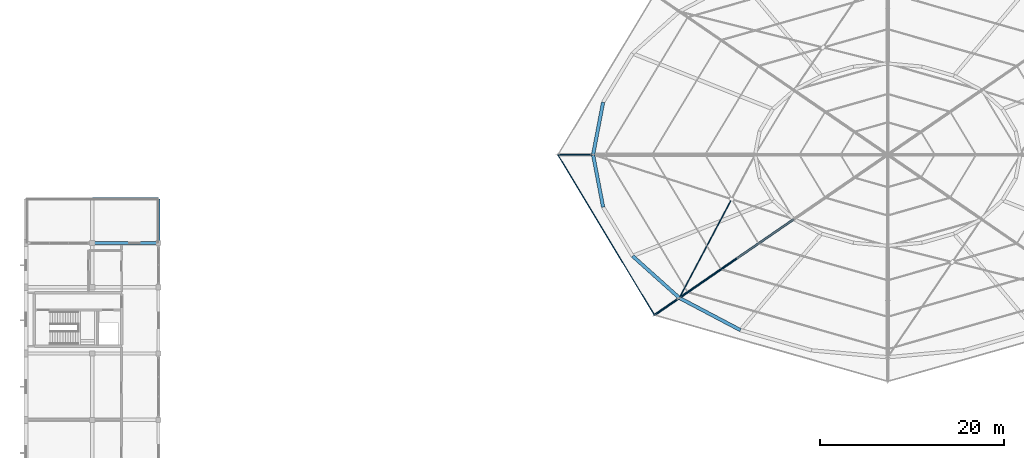
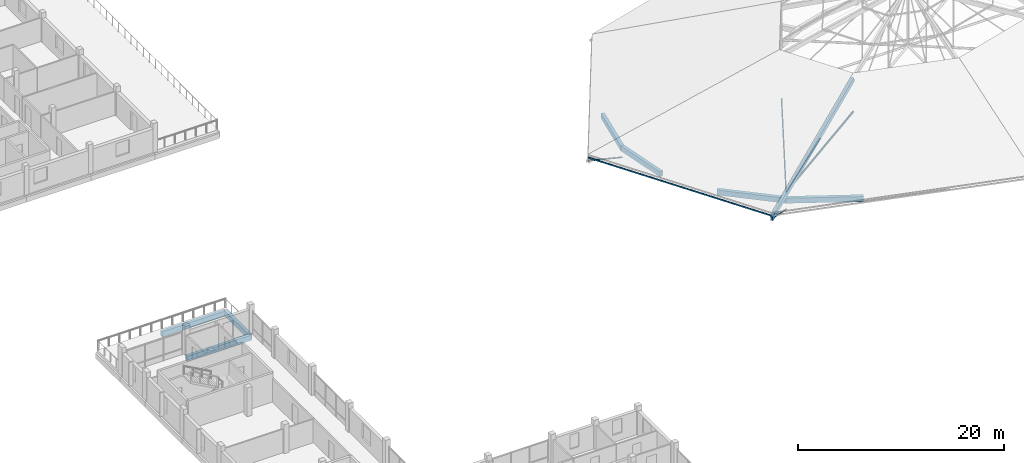
# One storey, part 17 of 66: 7 beams, 7 members.
"""IFC4 building model written with IfcOpenShell, lengths in metres."""

from ifc_helpers import new_model, si_unit, direction, frame, origin, origin_2d, place, context, subcontext, project, spatial, rectangle, hollow_rectangle, hollow_circle, extrude, material, material_profile, profile_set, type_object, element, save


model = new_model("IFC4")

# Units and contexts
model_context = context("Model", 3, precision=1e-05, world=origin(), true_north=direction((0.0, 1.0)))
body_context = subcontext(model_context, "Body", "Model", "MODEL_VIEW")
ifc_project = project(units=[si_unit("LENGTHUNIT", "METRE"), si_unit("AREAUNIT", "SQUARE_METRE"), si_unit("VOLUMEUNIT", "CUBIC_METRE"), si_unit("PLANEANGLEUNIT", "RADIAN"), si_unit("MASSUNIT", "GRAM", prefix="KILO")], contexts=[model_context])

# Site, building, storey
site_placement = place(None, origin())
site = spatial("IfcSite", under=ifc_project, at=site_placement, CompositionType="ELEMENT")
building_placement = place(site_placement, origin())
building = spatial("IfcBuilding", under=site, at=building_placement, Name="Zornivar Specialist Clinic", CompositionType="ELEMENT")
storey_placement = place(building_placement, frame((0.0, 0.0, 16.0)))
storey = spatial("IfcBuildingStorey", under=building, at=storey_placement, Name="L04", CompositionType="ELEMENT", Elevation=16.0)

# Beams
ifc_material_1 = material(Name="Concrete C30/37", Category="concrete")
ifc_material_profile_1 = material_profile(ifc_material_1, rectangle(XDim=0.35009765625, YDim=0.60009765625, at=origin_2d()), Name="RC 350x600")
ifc_profile_set_1 = profile_set([ifc_material_profile_1], Name="Concrete C30/37")
beam_type_1 = type_object("IfcBeamType", Name="BM-RC-350x600", PredefinedType="BEAM", material=ifc_profile_set_1)
for number, where, z_axis, x_axis, name in (
    (1, (7.199951171875, 48.0, -0.580078125), (1.0, 0.0, 0.0), (0.0, 1.0, 0.0), "bm:V2:L04:x:480:1"),
    (2, (7.199951171875, 52.800048828125, -0.580078125), (1.0, 0.0, 0.0), (0.0, 1.0, 0.0), "bm:V2:L04:x:528:1"),
):
    element("IfcBeam", number, at=place(storey_placement, frame(where, z_axis=z_axis, x_axis=x_axis)), inside=storey, type_object=beam_type_1, Name=name, PredefinedType="BEAM", context=body_context, shape_type="SweptSolid", body=[
        extrude(rectangle(XDim=0.35009765625, YDim=0.60009765625, at=origin_2d()), origin(), (0.0, 0.0, 1.0), 7.199951171875),
    ])
beam_1_placement = place(storey_placement, frame((14.39990234375, 48.0, -0.580078125), z_axis=(0.0, 1.0, 0.0), x_axis=(-1.0, 0.0, 0.0)))
element("IfcBeam", 3, at=beam_1_placement, inside=storey, type_object=beam_type_1, Name="bm:V2:L04:y:144:7", PredefinedType="BEAM", context=body_context, shape_type="SweptSolid", body=[
    extrude(rectangle(XDim=0.35009765625, YDim=0.60009765625, at=origin_2d()), origin(), (0.0, 0.0, 1.0), 4.800048828125),
])
ifc_material_2 = material(Name="Concrete C30/37", Category="concrete")
ifc_material_profile_2 = material_profile(ifc_material_2, rectangle(XDim=0.3701171875, YDim=0.60009765625, at=origin_2d()), Name="RC 370x600")
ifc_profile_set_2 = profile_set([ifc_material_profile_2], Name="Concrete C30/37")
beam_type_2 = type_object("IfcBeamType", Name="BM-RC-SPANDREL-370x600", PredefinedType="SPANDREL", material=ifc_profile_set_2)
beam_2_placement = place(storey_placement, frame((62.68994140625, 63.2939453125, -0.5400390625), z_axis=(-0.187994479835, -0.982170084838, 0.0), x_axis=(0.982170084838, -0.187994479835, 0.0)))
element("IfcBeam", 4, at=beam_2_placement, inside=storey, type_object=beam_type_2, Name="bm:V1:L04:outring:11", PredefinedType="SPANDREL", context=body_context, shape_type="SweptSolid", body=[
    extrude(rectangle(XDim=0.3701171875, YDim=0.60009765625, at=origin_2d()), origin(), (0.0, 0.0, 1.0), 5.797119140625),
])
beam_3_placement = place(storey_placement, frame((61.60009765625, 57.60009765625, -0.5400390625), z_axis=(0.187986704214, -0.982171573117, 0.0), x_axis=(0.982171573117, 0.187986704214, 0.0)))
element("IfcBeam", 5, at=beam_3_placement, inside=storey, type_object=beam_type_2, Name="bm:V1:L04:outring:12", PredefinedType="SPANDREL", context=body_context, shape_type="SweptSolid", body=[
    extrude(rectangle(XDim=0.3701171875, YDim=0.60009765625, at=origin_2d()), origin(), (0.0, 0.0, 1.0), 5.79736328125),
])
beam_4_placement = place(storey_placement, frame((65.886962890625, 46.60009765625, -0.5400390625), z_axis=(0.744835335723, -0.667248321585, 0.0), x_axis=(0.667248321585, 0.744835335723, 0.0)))
element("IfcBeam", 6, at=beam_4_placement, inside=storey, type_object=beam_type_2, Name="bm:V1:L04:outring:14", PredefinedType="SPANDREL", context=body_context, shape_type="SweptSolid", body=[
    extrude(rectangle(XDim=0.3701171875, YDim=0.60009765625, at=origin_2d()), origin(), (0.0, 0.0, 1.0), 6.828369140625),
])
beam_5_placement = place(storey_placement, frame((70.972900390625, 42.0439453125, -0.5400390625), z_axis=(0.88443219536, -0.466668717412, 0.0), x_axis=(0.466668717412, 0.88443219536, 0.0)))
element("IfcBeam", 7, at=beam_5_placement, inside=storey, type_object=beam_type_2, Name="bm:V1:L04:outring:15", PredefinedType="SPANDREL", context=body_context, shape_type="SweptSolid", body=[
    extrude(rectangle(XDim=0.3701171875, YDim=0.60009765625, at=origin_2d()), origin(), (0.0, 0.0, 1.0), 7.4931640625),
])

# Members
ifc_material_3 = material(Name="Steel S355J2", Category="steel")
ifc_material_profile_3 = material_profile(ifc_material_3, hollow_circle(Radius=0.109619140625, WallThickness=0.012451171875, at=origin_2d()), Name="CHS 219.1x12.5")
ifc_profile_set_3 = profile_set([ifc_material_profile_3], Name="Steel S355J2")
member_type_1 = type_object("IfcMemberType", Name="MEM-CHORD-CHS219", PredefinedType="CHORD", material=ifc_profile_set_3)
member_1_placement = place(storey_placement, frame((70.972900390625, 42.0439453125, 0.360107421875), z_axis=(0.824036735766, 0.566536369625, 0.0), x_axis=(-0.566536369625, 0.824036735766, 0.0)))
element("IfcMember", 8, at=member_1_placement, inside=storey, type_object=member_type_1, Name="mem:V1:L04:rtie:5", PredefinedType="CHORD", context=body_context, shape_type="SweptSolid", body=[
    extrude(hollow_circle(Radius=0.109619140625, WallThickness=0.012451171875, at=origin_2d()), origin(), (0.0, 0.0, 1.0), 15.1025390625),
])
ifc_material_4 = material(Name="Steel S355J2", Category="steel")
ifc_material_profile_4 = material_profile(ifc_material_4, hollow_circle(Radius=0.06982421875, WallThickness=0.010009765625, at=origin_2d()), Name="CHS 139.7x10")
ifc_profile_set_4 = profile_set([ifc_material_profile_4], Name="Steel S355J2")
member_type_2 = type_object("IfcMemberType", Name="MEM-DIAG-CHS140H", PredefinedType="BRACE", material=ifc_profile_set_4)
member_2_placement = place(storey_placement, frame((70.972900390625, 42.0439453125, 0.360107421875), z_axis=(0.808270288416, 0.55566441205, 0.194772179854), x_axis=(-0.566513999716, 0.824052114933, 0.0)))
element("IfcMember", 9, at=member_2_placement, inside=storey, type_object=member_type_2, Name="mem:V1:L04:diag1:5", PredefinedType="BRACE", context=body_context, shape_type="SweptSolid", body=[
    extrude(hollow_circle(Radius=0.06982421875, WallThickness=0.010009765625, at=origin_2d()), origin(), (0.0, 0.0, 1.0), 7.839111328125),
])
ifc_material_5 = material(Name="Steel S355J2", Category="steel")
ifc_material_profile_5 = material_profile(ifc_material_5, hollow_rectangle(XDim=0.080078125, YDim=0.159912109375, WallThickness=0.008056640625, at=origin_2d()), Name="RHS 160x80x8")
ifc_profile_set_5 = profile_set([ifc_material_profile_5], Name="Steel S355J2")
member_type_3 = type_object("IfcMemberType", Name="MEM-EAVE-RHS160", PredefinedType="USERDEFINED", material=ifc_profile_set_5)
member_3_placement = place(storey_placement, frame((57.760009765625, 57.60009765625, -0.3359375), z_axis=(0.516092206974, -0.856533031412, 0.0), x_axis=(0.856533031412, 0.516092206974, 0.0)))
element("IfcMember", 10, at=member_3_placement, inside=storey, type_object=member_type_3, Name="mem:V1:L04:purl:4:00", ObjectType="EAVE RAFTER", PredefinedType="USERDEFINED", context=body_context, shape_type="SweptSolid", body=[
    extrude(hollow_rectangle(XDim=0.080078125, YDim=0.159912109375, WallThickness=0.008056640625, at=origin_2d()), origin(), (0.0, 0.0, 1.0), 20.34130859375),
])
ifc_material_6 = material(Name="Glulam GL28h", Category="wood")
ifc_material_profile_6 = material_profile(ifc_material_6, rectangle(XDim=0.239990234375, YDim=0.56005859375, at=origin_2d()), Name="GL28h 240x560")
ifc_profile_set_6 = profile_set([ifc_material_profile_6], Name="Glulam GL28h")
member_type_4 = type_object("IfcMemberType", Name="MEM-RAFTER-GL560", PredefinedType="RAFTER", material=ifc_profile_set_6)
member_4_placement = place(storey_placement, frame((68.258056640625, 40.177001953125, -0.700927734375), z_axis=(0.796212145423, 0.547430310404, 0.257616526511), x_axis=(-0.566553040236, 0.824025274248, 0.0)))
element("IfcMember", 11, at=member_4_placement, inside=storey, type_object=member_type_4, Name="mem:V1:L04:raf1:5", PredefinedType="RAFTER", context=body_context, shape_type="SweptSolid", body=[
    extrude(rectangle(XDim=0.239990234375, YDim=0.56005859375, at=origin_2d()), origin(), (0.0, 0.0, 1.0), 19.0400390625),
])
ifc_material_7 = material(Name="Steel S355J2", Category="steel")
ifc_material_profile_7 = material_profile(ifc_material_7, hollow_circle(Radius=0.084228515625, WallThickness=0.010009765625, at=origin_2d()), Name="CHS 168.3x10")
ifc_profile_set_7 = profile_set([ifc_material_profile_7], Name="Steel S355J2")
member_type_5 = type_object("IfcMemberType", Name="MEM-STRUT-CHS168", PredefinedType="STRUT", material=ifc_profile_set_7)
member_5_placement = place(storey_placement, frame((61.60009765625, 57.60009765625, -1.64990234375), z_axis=(-0.970796077133, 0.0, 0.239906182962), x_axis=(0.0, -1.0, 0.0)))
element("IfcMember", 12, at=member_5_placement, inside=storey, type_object=member_type_5, Name="mem:V1:L04:ebrace:4", PredefinedType="STRUT", context=body_context, shape_type="SweptSolid", body=[
    extrude(hollow_circle(Radius=0.084228515625, WallThickness=0.010009765625, at=origin_2d()), origin(), (0.0, 0.0, 1.0), 3.95556640625),
])
member_6_placement = place(storey_placement, frame((70.972900390625, 42.0439453125, -1.64990234375), z_axis=(-0.791785482655, -0.544494926786, 0.276768900277), x_axis=(0.566629450792, -0.823972733466, 0.0)))
element("IfcMember", 13, at=member_6_placement, inside=storey, type_object=member_type_5, Name="mem:V1:L04:ebrace:5", PredefinedType="STRUT", context=body_context, shape_type="SweptSolid", body=[
    extrude(hollow_circle(Radius=0.084228515625, WallThickness=0.010009765625, at=origin_2d()), origin(), (0.0, 0.0, 1.0), 3.4287109375),
])
ifc_material_8 = material(Name="Steel S355J2", Category="steel")
ifc_material_profile_8 = material_profile(ifc_material_8, hollow_circle(Radius=0.06982421875, WallThickness=0.008056640625, at=origin_2d()), Name="CHS 139.7x8")
ifc_profile_set_8 = profile_set([ifc_material_profile_8], Name="Steel S355J2")
member_type_6 = type_object("IfcMemberType", Name="MEM-WIND-CHS140", PredefinedType="BRACE", material=ifc_profile_set_8)
member_7_placement = place(storey_placement, frame((70.972900390625, 42.0439453125, 0.177001953125), z_axis=(0.455755467075, 0.861701593486, 0.223063484272), x_axis=(-0.883974280382, 0.467535529797, 0.0)))
element("IfcMember", 14, at=member_7_placement, inside=storey, type_object=member_type_6, Name="mem:V1:L04:wbraceB1:4", PredefinedType="BRACE", context=body_context, shape_type="SweptSolid", body=[
    extrude(hollow_circle(Radius=0.06982421875, WallThickness=0.008056640625, at=origin_2d()), origin(), (0.0, 0.0, 1.0), 12.44970703125),
])

save(model, "model.ifc")
